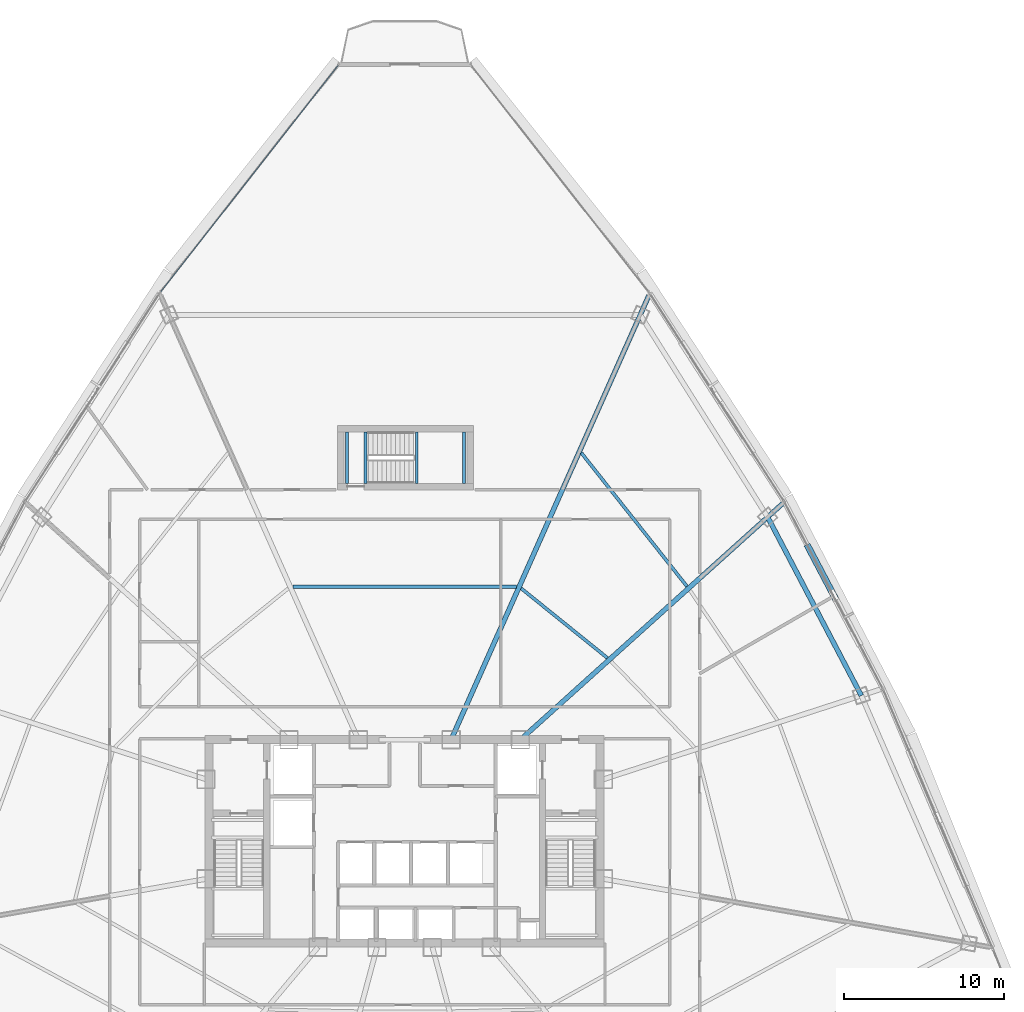
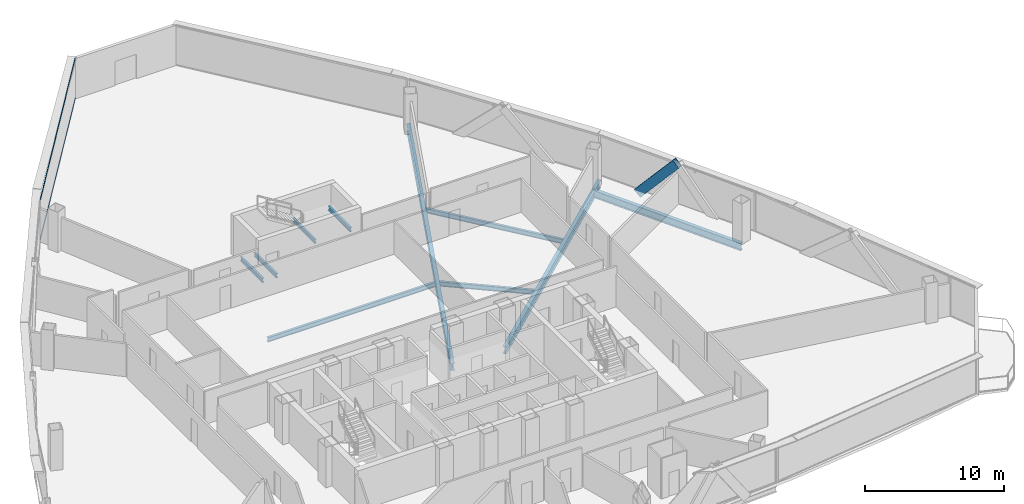
# One storey, part 19 of 36: 10 beams, 3 members, 1 element without a shape of its own.
"""IFC4 building model written with IfcOpenShell, lengths in metres."""

from ifc_helpers import new_model, si_unit, direction, frame, origin, origin_2d, place, context, subcontext, project, spatial, hollow_rectangle, i_section, extrude, source, transform, mapped, material, layer, layer_set, material_profile, profile_set, type_object, element, aggregate, save


model = new_model("IFC4")

# Units and contexts
model_context = context("Model", 3, precision=1e-05, world=origin(), true_north=direction((0.0, 1.0)))
body_context = subcontext(model_context, "Body", "Model", "MODEL_VIEW")
ifc_project = project(units=[si_unit("LENGTHUNIT", "METRE"), si_unit("AREAUNIT", "SQUARE_METRE"), si_unit("VOLUMEUNIT", "CUBIC_METRE"), si_unit("PLANEANGLEUNIT", "RADIAN"), si_unit("MASSUNIT", "GRAM", prefix="KILO"), si_unit("THERMODYNAMICTEMPERATUREUNIT", "KELVIN"), si_unit("POWERUNIT", "WATT")], contexts=[model_context])

# Site, building, storey
site_placement = place(None, origin())
site = spatial("IfcSite", under=ifc_project, at=site_placement, CompositionType="ELEMENT")
building_placement = place(site_placement, origin())
building = spatial("IfcBuilding", under=site, at=building_placement, Name="Yunzhuo Pagoda Commons", CompositionType="ELEMENT")
storey_placement = place(building_placement, frame((0.0, 0.0, 211.360107421875)))
storey = spatial("IfcBuildingStorey", under=building, at=storey_placement, Name="L53", CompositionType="ELEMENT", Elevation=211.360107421875)

# Beams
ifc_material_1 = material(Name="Structural steel Q355B", Category="steel")
ifc_material_profile_1 = material_profile(ifc_material_1, i_section(OverallWidth=0.175048828125, OverallDepth=0.35009765625, WebThickness=0.007080078125, FlangeThickness=0.010986328125, at=origin_2d()), Name="Structural steel Q355B")
ifc_profile_set_1 = profile_set([ifc_material_profile_1], Name="Structural steel Q355B")
beam_type_1 = type_object("IfcBeamType", Name="B-JS2 Joist HN 350x175x7x11", PredefinedType="JOIST", material=ifc_profile_set_1)
shared_shape_1 = source(origin(), body_context, "Body", "SweptSolid", [
    extrude(i_section(OverallWidth=0.175048828125, OverallDepth=0.35009765625, WebThickness=0.007080078125, FlangeThickness=0.010986328125, at=origin_2d()), origin(), (0.0, 0.0, 1.0), 3.199951171875),
])
for number, where, z_axis, x_axis, name in (
    (1, (48.75, 56.199951171875, 1.52490234375), (0.0, 1.0, 0.0), (-1.0, 0.0, 0.0), "L53 ST3 landing support beam 59A"),
    (2, (51.699951171875, 56.199951171875, 1.52490234375), (0.0, 1.0, 0.0), (-1.0, 0.0, 0.0), "L53 ST3 landing support beam 59B"),
    (3, (44.39990234375, 56.199951171875, -0.375), (0.0, 1.0, 0.0), (-1.0, 0.0, 0.0), "L53 ST3 landing support beam 127A"),
    (4, (45.550048828125, 56.199951171875, -0.375), (0.0, 1.0, 0.0), (-1.0, 0.0, 0.0), "L53 ST3 landing support beam 127B"),
):
    element("IfcBeam", number, at=place(storey_placement, frame(where, z_axis=z_axis, x_axis=x_axis)), inside=storey, type_object=beam_type_1, Name=name, PredefinedType="JOIST", context=body_context, shape_type="MappedRepresentation", body=[
        mapped(shared_shape_1, transform((0.0, 0.0, 0.0), scale=1.0)),
    ])
ifc_material_profile_2 = material_profile(ifc_material_1, i_section(OverallWidth=0.300048828125, OverallDepth=0.64990234375, WebThickness=0.012939453125, FlangeThickness=0.02197265625, at=origin_2d()), Name="Structural steel Q355B")
ifc_profile_set_2 = profile_set([ifc_material_profile_2], Name="Structural steel Q355B")
beam_type_2 = type_object("IfcBeamType", Name="B-RG2 Beam HN 650x300x13x22", PredefinedType="BEAM", material=ifc_profile_set_2)
shared_shape_2 = source(origin(), body_context, "Body", "SweptSolid", [
    extrude(i_section(OverallWidth=0.300048828125, OverallDepth=0.64990234375, WebThickness=0.012939453125, FlangeThickness=0.02197265625, at=origin_2d()), origin(), (0.0, 0.0, 1.0), 12.576416015625),
])
beam_1_placement = place(storey_placement, frame((76.49462890625, 42.95849609375, -0.585205078125), z_axis=(-0.464676385233, 0.885480579689, 0.0), x_axis=(-0.885480579689, -0.464676385233, 0.0)))
element("IfcBeam", 5, at=beam_1_placement, inside=storey, type_object=beam_type_2, Name="L53 column-ring beam 6", PredefinedType="BEAM", context=body_context, shape_type="MappedRepresentation", body=[
    mapped(shared_shape_2, transform((0.0, 0.0, 0.0), scale=1.0)),
])
ifc_material_profile_3 = material_profile(ifc_material_1, i_section(OverallWidth=0.199951171875, OverallDepth=0.39990234375, WebThickness=0.008056640625, FlangeThickness=0.012939453125, at=origin_2d()), Name="Structural steel Q355B")
ifc_profile_set_3 = profile_set([ifc_material_profile_3], Name="Structural steel Q355B")
beam_type_3 = type_object("IfcBeamType", Name="B-JS1 Joist HN 400x200x8x13", PredefinedType="JOIST", material=ifc_profile_set_3)
shared_shape_3 = source(origin(), body_context, "Body", "SweptSolid", [
    extrude(i_section(OverallWidth=0.199951171875, OverallDepth=0.39990234375, WebThickness=0.008056640625, FlangeThickness=0.012939453125, at=origin_2d()), origin(), (0.0, 0.0, 1.0), 6.916748046875),
])
beam_2_placement = place(storey_placement, frame((60.650634765625, 45.302001953125, -0.460205078125), z_axis=(-0.778265575865, 0.627935262127, 0.0), x_axis=(-0.627935262127, -0.778265575865, 0.0)))
element("IfcBeam", 6, at=beam_2_placement, inside=storey, type_object=beam_type_3, Name="L53 composite ring joist 1.7", PredefinedType="JOIST", context=body_context, shape_type="MappedRepresentation", body=[
    mapped(shared_shape_3, transform((0.0, 0.0, 0.0), scale=1.0)),
])
shared_shape_4 = source(origin(), body_context, "Body", "SweptSolid", [
    extrude(i_section(OverallWidth=0.199951171875, OverallDepth=0.39990234375, WebThickness=0.008056640625, FlangeThickness=0.012939453125, at=origin_2d()), origin(), (0.0, 0.0, 1.0), 10.62548828125),
])
beam_3_placement = place(storey_placement, frame((65.614013671875, 49.773193359375, -0.460205078125), z_axis=(-0.620561688531, 0.784157631301, 0.0), x_axis=(-0.784157631301, -0.620561688531, 0.0)))
element("IfcBeam", 7, at=beam_3_placement, inside=storey, type_object=beam_type_3, Name="L53 composite ring joist 2.7", PredefinedType="JOIST", context=body_context, shape_type="MappedRepresentation", body=[
    mapped(shared_shape_4, transform((0.0, 0.0, 0.0), scale=1.0)),
])
shared_shape_5 = source(origin(), body_context, "Body", "SweptSolid", [
    extrude(i_section(OverallWidth=0.199951171875, OverallDepth=0.39990234375, WebThickness=0.008056640625, FlangeThickness=0.012939453125, at=origin_2d()), origin(), (0.0, 0.0, 1.0), 13.9697265625),
])
beam_4_placement = place(storey_placement, frame((54.98486328125, 49.7451171875, -0.460205078125), z_axis=(-1.0, 0.0, 0.0), x_axis=(0.0, -1.0, 0.0)))
element("IfcBeam", 8, at=beam_4_placement, inside=storey, type_object=beam_type_3, Name="L53 composite ring joist 1.8", PredefinedType="JOIST", context=body_context, shape_type="MappedRepresentation", body=[
    mapped(shared_shape_5, transform((0.0, 0.0, 0.0), scale=1.0)),
])
shared_shape_6 = source(origin(), body_context, "Body", "SweptSolid", [
    extrude(i_section(OverallWidth=0.300048828125, OverallDepth=0.64990234375, WebThickness=0.012939453125, FlangeThickness=0.02197265625, at=origin_2d()), origin(), (0.0, 0.0, 1.0), 22.02490234375),
])
beam_5_placement = place(storey_placement, frame((71.586669921875, 54.9375, -0.585205078125), z_axis=(-0.743144207788, -0.669131292371, 0.0), x_axis=(0.669131292371, -0.743144207788, 0.0)))
element("IfcBeam", 9, at=beam_5_placement, inside=storey, type_object=beam_type_2, Name="L53 radial floor girder F2C3", PredefinedType="BEAM", context=body_context, shape_type="MappedRepresentation", body=[
    mapped(shared_shape_6, transform((0.0, 0.0, 0.0), scale=1.0)),
])
shared_shape_7 = source(origin(), body_context, "Body", "SweptSolid", [
    extrude(i_section(OverallWidth=0.300048828125, OverallDepth=0.64990234375, WebThickness=0.012939453125, FlangeThickness=0.02197265625, at=origin_2d()), origin(), (0.0, 0.0, 1.0), 30.3408203125),
])
beam_6_placement = place(storey_placement, frame((63.234619140625, 67.917724609375, -0.585205078125), z_axis=(-0.406731921455, -0.913547559829, 0.0), x_axis=(0.913547559829, -0.406731921455, 0.0)))
element("IfcBeam", 10, at=beam_6_placement, inside=storey, type_object=beam_type_2, Name="L53 radial floor girder F2C4", PredefinedType="BEAM", context=body_context, shape_type="MappedRepresentation", body=[
    mapped(shared_shape_7, transform((0.0, 0.0, 0.0), scale=1.0)),
])

# Member
ifc_material_profile_4 = material_profile(ifc_material_1, hollow_rectangle(XDim=0.39990234375, YDim=0.719970703125, WallThickness=0.02392578125, at=origin_2d()), Name="Structural steel Q355B")
ifc_profile_set_4 = profile_set([ifc_material_profile_4], Name="Structural steel Q355B")
member_type_1 = type_object("IfcMemberType", Name="M-DL2 Brace BOX 720x400x24", PredefinedType="BRACE", material=ifc_profile_set_4)
shared_shape_8 = source(origin(), body_context, "Body", "SweptSolid", [
    extrude(hollow_rectangle(XDim=0.39990234375, YDim=0.719970703125, WallThickness=0.02392578125, at=origin_2d()), origin(), (0.0, 0.0, 1.0), 5.027099609375),
])
member_1_placement = place(storey_placement, frame((73.23583984375, 52.129638671875, -0.260009765625), z_axis=(0.30523781398, -0.579199072319, 0.755882472042), x_axis=(0.884668683913, 0.466220248063, 0.0)))
element("IfcMember", 11, at=member_1_placement, inside=storey, type_object=member_type_1, Name="L53 facade diamond brace F2.2R", PredefinedType="BRACE", context=body_context, shape_type="MappedRepresentation", body=[
    mapped(shared_shape_8, transform((0.0, 0.0, 0.0), scale=1.0)),
])

# Curtain wall, members
ifc_material_2 = material(Name="Anodized aluminium 6063-T6", Category="aluminium")
ifc_layer = layer(ifc_material_2, 0.14990234375)
ifc_layer_set = layer_set([ifc_layer], Name="Anodized aluminium 6063-T6")
curtain_wall_type = type_object("IfcCurtainWallType", Name="CW-MID Mid-Zone Ribbon Curtain Wall", PredefinedType="NOTDEFINED", material=ifc_layer_set)
curtain_wall_placement = place(storey_placement, origin())
curtain_wall = element("IfcCurtainWall", 12, at=curtain_wall_placement, inside=storey, type_object=curtain_wall_type, Name="L53 curtain wall CW-L53-F3B1", PredefinedType="NOTDEFINED")
ifc_material_profile_5 = material_profile(ifc_material_2, hollow_rectangle(XDim=0.054931640625, YDim=0.1298828125, WallThickness=0.00341796875, at=origin_2d()), Name="Anodized aluminium 6063-T6")
ifc_profile_set_5 = profile_set([ifc_material_profile_5], Name="Anodized aluminium 6063-T6")
member_type_2 = type_object("IfcMemberType", Name="CW-MID-T Transom RHS 130x55x3.5", PredefinedType="USERDEFINED", material=ifc_profile_set_5)
shared_shape_9 = source(origin(), body_context, "Body", "SweptSolid", [
    extrude(hollow_rectangle(XDim=0.054931640625, YDim=0.1298828125, WallThickness=0.00341796875, at=origin_2d()), origin(), (0.0, 0.0, 1.0), 17.94091796875),
])
member_2_placement = place(storey_placement, frame((43.848388671875, 82.28955078125, 0.02734375), z_axis=(-0.616633301758, -0.7872505136, 0.0), x_axis=(0.7872505136, -0.616633301758, 0.0)))
member_2 = element("IfcMember", 13, at=member_2_placement, type_object=member_type_2, Name="CW transom 1.1", ObjectType="TRANSOM", PredefinedType="USERDEFINED", context=body_context, shape_type="MappedRepresentation", body=[
    mapped(shared_shape_9, transform((0.0, 0.0, 0.0), scale=1.0)),
])
member_3_placement = place(storey_placement, frame((43.848388671875, 82.28955078125, 3.512451171875), z_axis=(-0.616633301758, -0.7872505136, 0.0), x_axis=(0.7872505136, -0.616633301758, 0.0)))
member_3 = element("IfcMember", 14, at=member_3_placement, type_object=member_type_2, Name="CW transom 1.2", ObjectType="TRANSOM", PredefinedType="USERDEFINED", context=body_context, shape_type="MappedRepresentation", body=[
    mapped(shared_shape_9, transform((0.0, 0.0, 0.0), scale=1.0)),
])
aggregate(curtain_wall, [member_2, member_3])

save(model, "model.ifc")
